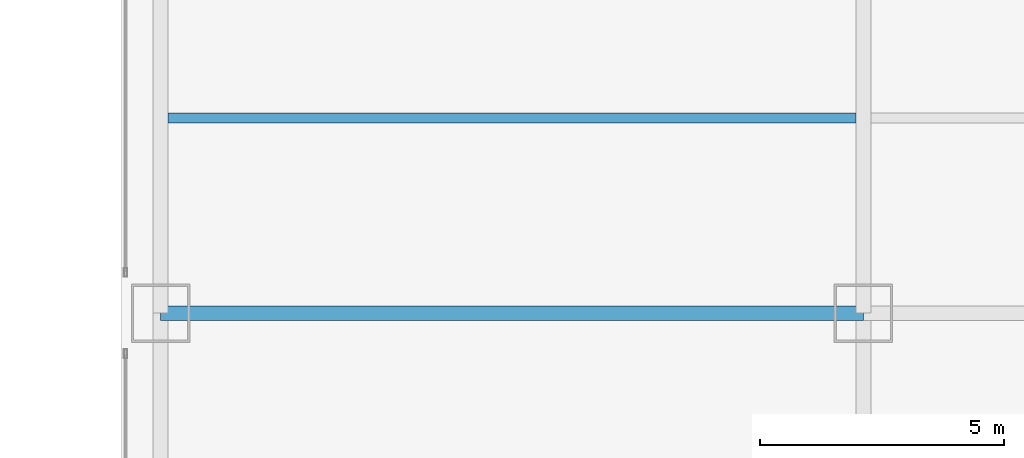
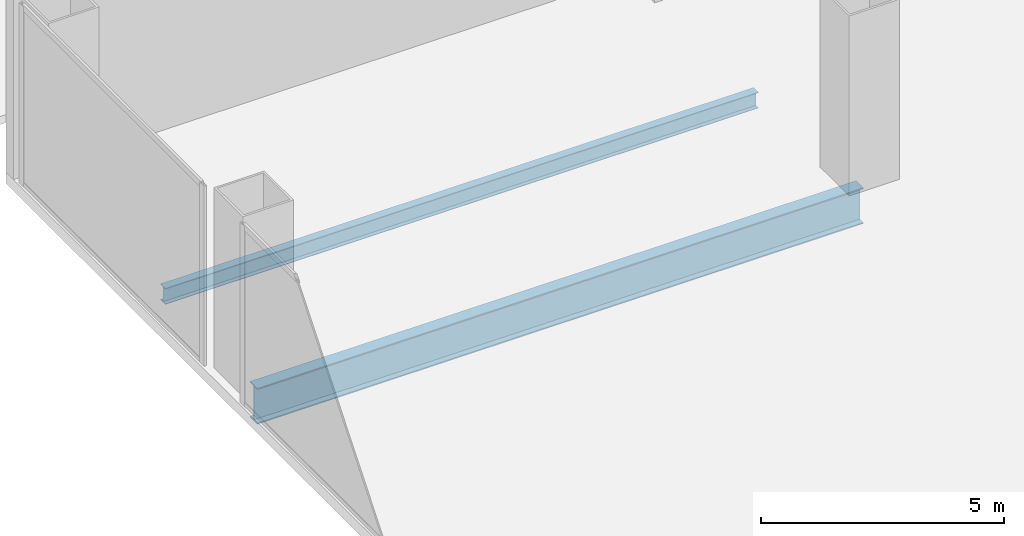
# One storey, part 37 of 58: 2 beams.
"""IFC4 building model written with IfcOpenShell, lengths in metres."""

from ifc_helpers import new_model, si_unit, direction, frame, origin, origin_2d, place, context, subcontext, project, spatial, i_section, extrude, source, transform, mapped, material, material_profile, profile_set, type_object, element, save


model = new_model("IFC4")

# Units and contexts
model_context = context("Model", 3, precision=1e-05, world=origin(), true_north=direction((0.0, 1.0)))
body_context = subcontext(model_context, "Body", "Model", "MODEL_VIEW")
ifc_project = project(units=[si_unit("LENGTHUNIT", "METRE"), si_unit("AREAUNIT", "SQUARE_METRE"), si_unit("VOLUMEUNIT", "CUBIC_METRE"), si_unit("PLANEANGLEUNIT", "RADIAN"), si_unit("MASSUNIT", "GRAM", prefix="KILO"), si_unit("THERMODYNAMICTEMPERATUREUNIT", "KELVIN"), si_unit("POWERUNIT", "WATT")], contexts=[model_context])

# Site, building, storey
site_placement = place(None, origin())
site = spatial("IfcSite", under=ifc_project, at=site_placement, CompositionType="ELEMENT")
building_placement = place(site_placement, origin())
building = spatial("IfcBuilding", under=site, at=building_placement, Name="Yunzhuo Pagoda Commons", CompositionType="ELEMENT")
storey_placement = place(building_placement, origin())
storey = spatial("IfcBuildingStorey", under=building, at=storey_placement, Name="L01", CompositionType="ELEMENT", Elevation=0.0)

# Beams
ifc_material = material(Name="Structural steel Q355B", Category="steel")
ifc_material_profile_1 = material_profile(ifc_material, i_section(OverallWidth=0.300048828125, OverallDepth=0.89990234375, WebThickness=0.01611328125, FlangeThickness=0.028076171875, at=origin_2d()), Name="Structural steel Q355B")
ifc_profile_set_1 = profile_set([ifc_material_profile_1], Name="Structural steel Q355B")
beam_type_1 = type_object("IfcBeamType", Name="B-PD1 Beam HN 900x300x16x28", PredefinedType="BEAM", material=ifc_profile_set_1)
shared_shape_1 = source(origin(), body_context, "Body", "SweptSolid", [
    extrude(i_section(OverallWidth=0.300048828125, OverallDepth=0.89990234375, WebThickness=0.01611328125, FlangeThickness=0.028076171875, at=origin_2d()), origin(), (0.0, 0.0, 1.0), 14.39990234375),
])
beam_1_placement = place(storey_placement, frame((4.800048828125, 81.199951171875, -0.729736328125), z_axis=(1.0, 0.0, 0.0), x_axis=(0.0, 1.0, 0.0)))
element("IfcBeam", 1, at=beam_1_placement, inside=storey, type_object=beam_type_1, Name="L01 podium girder EW 5.1", PredefinedType="BEAM", context=body_context, shape_type="MappedRepresentation", body=[
    mapped(shared_shape_1, transform((0.0, 0.0, 0.0), scale=1.0)),
])
ifc_material_profile_2 = material_profile(ifc_material, i_section(OverallWidth=0.199951171875, OverallDepth=0.39990234375, WebThickness=0.008056640625, FlangeThickness=0.012939453125, at=origin_2d()), Name="Structural steel Q355B")
ifc_profile_set_2 = profile_set([ifc_material_profile_2], Name="Structural steel Q355B")
beam_type_2 = type_object("IfcBeamType", Name="B-JS1 Joist HN 400x200x8x13", PredefinedType="JOIST", material=ifc_profile_set_2)
shared_shape_2 = source(origin(), body_context, "Body", "SweptSolid", [
    extrude(i_section(OverallWidth=0.199951171875, OverallDepth=0.39990234375, WebThickness=0.008056640625, FlangeThickness=0.012939453125, at=origin_2d()), origin(), (0.0, 0.0, 1.0), 14.08984375),
])
beam_2_placement = place(storey_placement, frame((4.955078125, 85.199951171875, -0.479736328125), z_axis=(1.0, 0.0, 0.0), x_axis=(0.0, 1.0, 0.0)))
element("IfcBeam", 2, at=beam_2_placement, inside=storey, type_object=beam_type_2, Name="L01 podium composite joist 1.5", PredefinedType="JOIST", context=body_context, shape_type="MappedRepresentation", body=[
    mapped(shared_shape_2, transform((0.0, 0.0, 0.0), scale=1.0)),
])

save(model, "model.ifc")
